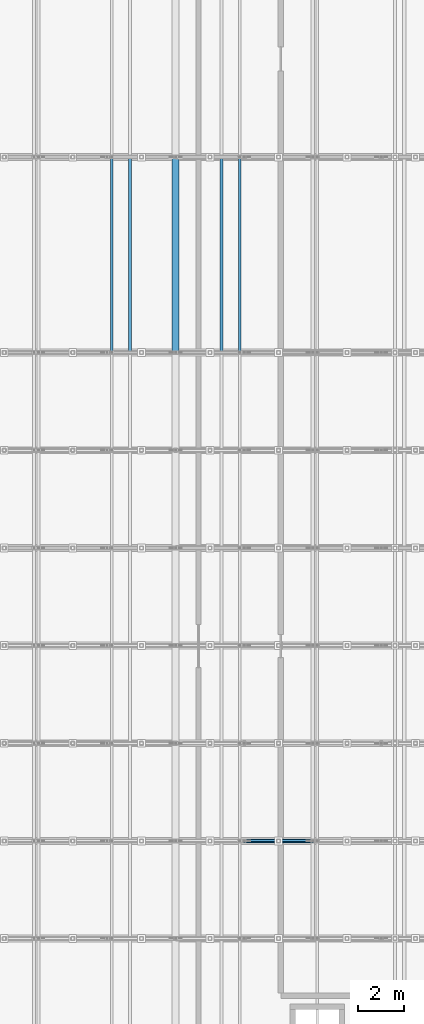
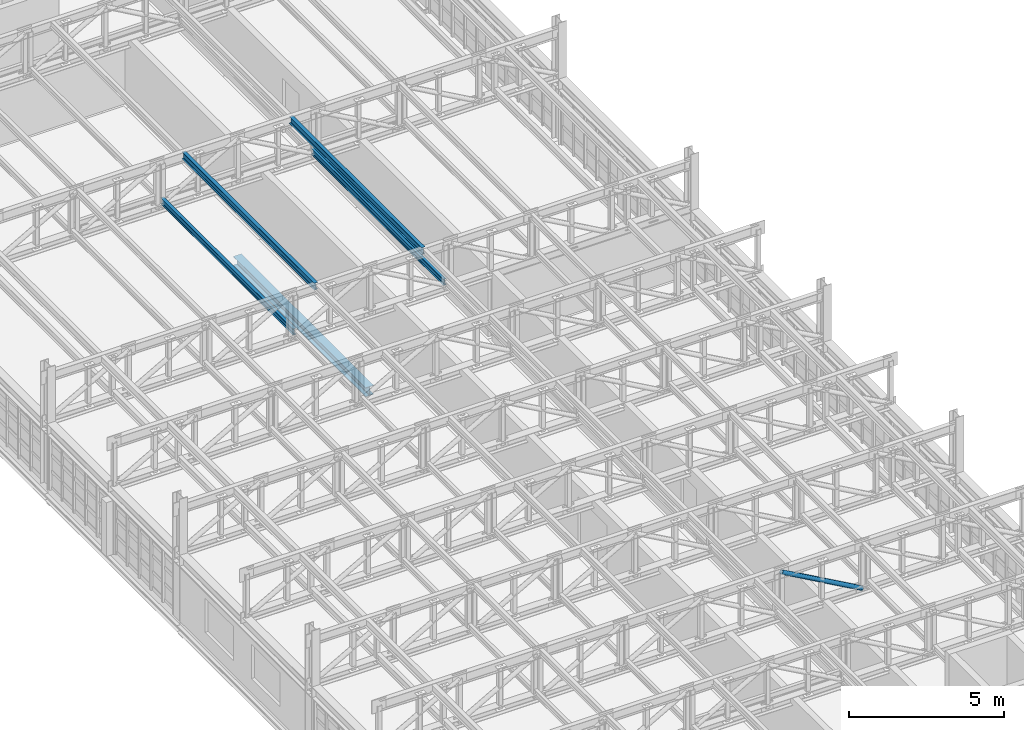
# One storey, part 49 of 128: 5 members, 1 beam.
"""IFC4 building model written with IfcOpenShell, lengths in metres."""

from ifc_helpers import new_model, si_unit, direction, frame, origin, origin_2d, place, context, subcontext, project, spatial, hollow_circle, i_section, extrude, material, material_profile, profile_set, type_object, element, save


model = new_model("IFC4")

# Units and contexts
model_context = context("Model", 3, precision=1e-05, world=origin(), true_north=direction((0.0, 1.0)))
body_context = subcontext(model_context, "Body", "Model", "MODEL_VIEW")
ifc_project = project(units=[si_unit("LENGTHUNIT", "METRE"), si_unit("AREAUNIT", "SQUARE_METRE"), si_unit("VOLUMEUNIT", "CUBIC_METRE"), si_unit("PLANEANGLEUNIT", "RADIAN"), si_unit("MASSUNIT", "GRAM", prefix="KILO")], contexts=[model_context])

# Site, building, storey
site_placement = place(None, origin())
site = spatial("IfcSite", under=ifc_project, at=site_placement, CompositionType="ELEMENT")
building_placement = place(site_placement, origin())
building = spatial("IfcBuilding", under=site, at=building_placement, Name="Serraforn Aerial Cableway Station", CompositionType="ELEMENT")
storey_placement = place(building_placement, frame((0.0, 0.0, 9.0)))
storey = spatial("IfcBuildingStorey", under=building, at=storey_placement, Name="L02", CompositionType="ELEMENT", Elevation=9.0)

# Beam
ifc_material_1 = material(Name="Steel S355JR", Category="steel")
ifc_material_profile_1 = material_profile(ifc_material_1, i_section(OverallWidth=0.300048828125, OverallDepth=0.360107421875, WebThickness=0.010009765625, FlangeThickness=0.017578125, FilletRadius=0.027099609375, at=origin_2d()), Name="HEA 360")
ifc_profile_set_1 = profile_set([ifc_material_profile_1], Name="Steel S355JR")
beam_type = type_object("IfcBeamType", Name="BM-ST-HEA360", PredefinedType="BEAM", material=ifc_profile_set_1)
beam_placement = place(storey_placement, frame((156.0, 88.35009765625, -0.5), z_axis=(0.0, 1.0, 0.0), x_axis=(-1.0, 0.0, 0.0)))
element("IfcBeam", 1, at=beam_placement, inside=storey, type_object=beam_type, Name="Grid Girder Y EG L02 X2-6", PredefinedType="BEAM", context=body_context, shape_type="SweptSolid", body=[
    extrude(i_section(OverallWidth=0.300048828125, OverallDepth=0.360107421875, WebThickness=0.010009765625, FlangeThickness=0.017578125, FilletRadius=0.027099609375, at=origin_2d()), origin(), (0.0, 0.0, 1.0), 8.5498046875),
])

# Members
ifc_material_2 = material(Name="Steel S355J2", Category="steel")
ifc_material_profile_2 = material_profile(ifc_material_2, hollow_circle(Radius=0.084228515625, WallThickness=0.008056640625, at=origin_2d()), Name="CHS 168.3x8.0")
ifc_profile_set_2 = profile_set([ifc_material_profile_2], Name="Steel S355J2")
member_type_1 = type_object("IfcMemberType", Name="MEM-DG-CHS168", PredefinedType="BRACE", material=ifc_profile_set_2)
member_placement = place(storey_placement, frame((159.0, 66.97509765625, 4.2900390625), z_axis=(0.871272396707, 0.0, -0.490799766439), x_axis=(0.0, 1.0, 0.0)))
element("IfcMember", 2, at=member_placement, inside=storey, type_object=member_type_1, Name="Garage Truss GT-04 Diagonal 6", PredefinedType="BRACE", context=body_context, shape_type="SweptSolid", body=[
    extrude(hollow_circle(Radius=0.084228515625, WallThickness=0.008056640625, at=origin_2d()), origin(), (0.0, 0.0, 1.0), 3.443359375),
])
ifc_material_profile_3 = material_profile(ifc_material_1, i_section(OverallWidth=0.135009765625, OverallDepth=0.27001953125, WebThickness=0.006591796875, FlangeThickness=0.01025390625, FilletRadius=0.014892578125, at=origin_2d()), Name="IPE 270")
ifc_profile_set_3 = profile_set([ifc_material_profile_3], Name="Steel S355JR")
member_type_2 = type_object("IfcMemberType", Name="MEM-PR-IPE270", PredefinedType="PURLIN", material=ifc_profile_set_3)
for number, where, z_axis, x_axis, name in (
    (3, (154.0, 88.35009765625, 4.3349609375), (0.0, 1.0, 0.0), (-1.0, 0.0, 0.0), "Fleet Garage Roof Purlin 6-3"),
    (4, (158.0, 88.35009765625, 4.3349609375), (0.0, 1.0, 0.0), (-1.0, 0.0, 0.0), "Fleet Garage Roof Purlin 6-4"),
):
    element("IfcMember", number, at=place(storey_placement, frame(where, z_axis=z_axis, x_axis=x_axis)), inside=storey, type_object=member_type_2, Name=name, PredefinedType="PURLIN", context=body_context, shape_type="SweptSolid", body=[
        extrude(i_section(OverallWidth=0.135009765625, OverallDepth=0.27001953125, WebThickness=0.006591796875, FlangeThickness=0.01025390625, FilletRadius=0.014892578125, at=origin_2d()), origin(), (0.0, 0.0, 1.0), 8.5498046875),
    ])
ifc_material_profile_4 = material_profile(ifc_material_2, i_section(OverallWidth=0.1201171875, OverallDepth=0.239990234375, WebThickness=0.006103515625, FlangeThickness=0.009765625, FilletRadius=0.014892578125, at=origin_2d()), Name="IPE 240")
ifc_profile_set_4 = profile_set([ifc_material_profile_4], Name="Steel S355J2")
member_type_3 = type_object("IfcMemberType", Name="MEM-RL-IPE240", PredefinedType="USERDEFINED", material=ifc_profile_set_4)
for number, where, z_axis, x_axis, name in (
    (5, (153.199951171875, 88.35009765625, 2.820068359375), (0.0, 1.0, 0.0), (-1.0, 0.0, 0.0), "Overhead Cabin Storage Track Rail 3-5"),
    (6, (158.800048828125, 88.35009765625, 2.820068359375), (0.0, 1.0, 0.0), (-1.0, 0.0, 0.0), "Overhead Cabin Storage Track Rail 4-5"),
):
    element("IfcMember", number, at=place(storey_placement, frame(where, z_axis=z_axis, x_axis=x_axis)), inside=storey, type_object=member_type_3, Name=name, ObjectType="OVERHEAD TRACK RAIL", PredefinedType="USERDEFINED", context=body_context, shape_type="SweptSolid", body=[
        extrude(i_section(OverallWidth=0.1201171875, OverallDepth=0.239990234375, WebThickness=0.006103515625, FlangeThickness=0.009765625, FilletRadius=0.014892578125, at=origin_2d()), origin(), (0.0, 0.0, 1.0), 8.5498046875),
    ])

save(model, "model.ifc")
